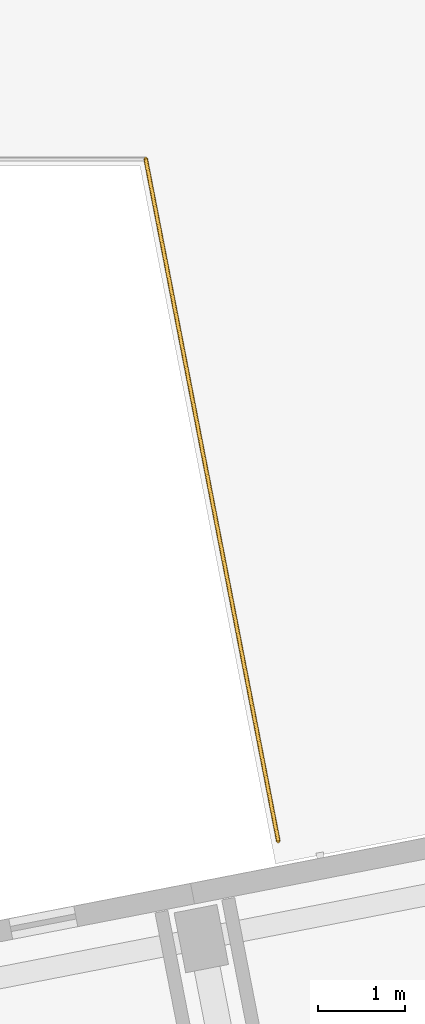
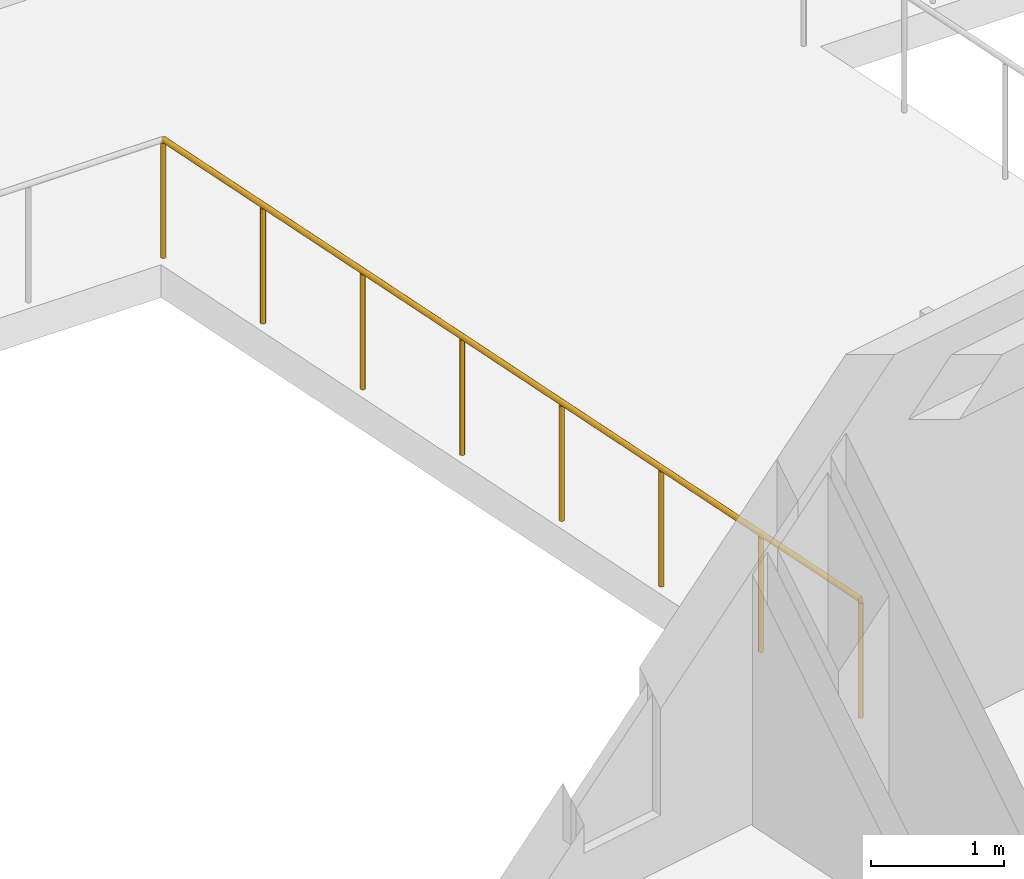
# One storey, part 121 of 150: 1 railing.
"""IFC4 building model written with IfcOpenShell, lengths in metres."""

import ifcopenshell
import ifcopenshell.guid

model = None  # the IFC model being written
_history = None  # IfcOwnerHistory: only IFC2X3 demands one
_inside = {}  # id of a spatial element -> (the spatial element, [elements in it])
_under = {}  # id of a project, library or spatial element -> (it, [spatial elements below it])
_declared = {}  # id of a project -> (the project, [libraries it declares])
_typed = {}  # id of a type object -> (the type object, [elements of that type])
_made_of = {}  # id of a material, layer set ... -> (it, [elements and type objects made of it])


def new_model(schema):
    """Start an empty IFC model of exactly this schema.

    Asked for "IFC4X3", IfcOpenShell would pick the latest addendum, in which some entities
    have other attributes; the version numbers below select the first issue.
    IFC2X3 requires an IfcOwnerHistory on every rooted entity: one is made here for all.
    """
    global model, _history
    if schema == "IFC4X3":
        model = ifcopenshell.file(schema_version=(4, 3, 0, 0))
    else:
        model = ifcopenshell.file(schema=schema)
    _inside.clear()
    _under.clear()
    _declared.clear()
    _typed.clear()
    _made_of.clear()
    _history = None
    if model.schema == "IFC2X3":
        org = make("IfcOrganization", Name="unknown")
        user = make(
            "IfcPersonAndOrganization",
            ThePerson=make("IfcPerson", FamilyName="unknown"),
            TheOrganization=org,
        )
        app = make(
            "IfcApplication",
            ApplicationDeveloper=org,
            Version="unknown",
            ApplicationFullName="unknown",
            ApplicationIdentifier="unknown",
        )
        _history = make(
            "IfcOwnerHistory",
            OwningUser=user,
            OwningApplication=app,
            ChangeAction="ADDED",
            CreationDate=0,
        )
    return model


def make(cls, **values):
    """One entity of the class cls with the attributes given. An attribute that is None is left unset."""
    return model.create_entity(
        cls, **{name: value for name, value in values.items() if value is not None}
    )


def rooted(cls, **values):
    """An entity with a GlobalId (a new one), such as an element, a storey or a relation."""
    return make(cls, GlobalId=ifcopenshell.guid.new(), OwnerHistory=_history, **values)


def si_unit(unit_type, name, prefix=None):
    """IfcSIUnit, for example si_unit("LENGTHUNIT", "METRE", prefix="MILLI")."""
    return make("IfcSIUnit", UnitType=unit_type, Prefix=prefix, Name=name)


def assignment(units):
    """IfcUnitAssignment: the units of a project."""
    return None if units is None else make("IfcUnitAssignment", Units=units)


def point(xyz):
    """IfcCartesianPoint."""
    return None if xyz is None else make("IfcCartesianPoint", Coordinates=xyz)


def direction(xyz):
    """IfcDirection."""
    return None if xyz is None else make("IfcDirection", DirectionRatios=xyz)


def frame(location, z_axis=None, x_axis=None):
    """IfcAxis2Placement3D, a coordinate frame: its origin and axes. An axis left out is left unset."""
    return make(
        "IfcAxis2Placement3D",
        Location=point(location),
        Axis=direction(z_axis),
        RefDirection=direction(x_axis),
    )


def frame_2d(location, x_axis=None):
    """IfcAxis2Placement2D, a coordinate frame in the plane: its origin and x axis."""
    return make(
        "IfcAxis2Placement2D", Location=point(location), RefDirection=direction(x_axis)
    )


def origin():
    """The frame at (0, 0, 0) with its axes left unset."""
    return frame((0.0, 0.0, 0.0))


def origin_2d():
    """The frame at (0, 0) in the plane with its x axis left unset."""
    return frame_2d((0.0, 0.0))


def place(relative_to, where):
    """IfcLocalPlacement: puts the frame where relative to a parent placement (None: the world)."""
    return make(
        "IfcLocalPlacement", PlacementRelTo=relative_to, RelativePlacement=where
    )


def context(
    kind, dimensions, precision=None, world=None, true_north=None, identifier=None
):
    """IfcGeometricRepresentationContext, for example the 3D "Model" context."""
    return make(
        "IfcGeometricRepresentationContext",
        ContextIdentifier=identifier,
        ContextType=kind,
        CoordinateSpaceDimension=dimensions,
        Precision=precision,
        WorldCoordinateSystem=world,
        TrueNorth=true_north,
    )


def subcontext(parent, identifier, kind, view, scale=None):
    """IfcGeometricRepresentationSubContext, for example "Body" below "Model"."""
    return make(
        "IfcGeometricRepresentationSubContext",
        ContextIdentifier=identifier,
        ContextType=kind,
        ParentContext=parent,
        TargetScale=scale,
        TargetView=view,
    )


def project(units=None, contexts=None):
    """IfcProject with its units and contexts."""
    return rooted(
        "IfcProject",
        Name="project",
        RepresentationContexts=contexts,
        UnitsInContext=assignment(units),
    )


def spatial(cls, under=None, at=None, **own):
    """A site, building, storey or space (cls), placed at a placement, below another one or the project."""
    s = rooted(cls, ObjectPlacement=at, **own)
    if under is not None:
        _under.setdefault(under.id(), (under, []))[1].append(s)
    return s


def profile(cls, at=None, kind="AREA", **sizes):
    """A parametric profile (cls). Its sizes go by their IFC names, for example OverallWidth=200.0."""
    return make(cls, ProfileType=kind, Position=at, **sizes)


def circle(**sizes):
    """IfcCircleProfileDef."""
    return profile("IfcCircleProfileDef", **sizes)


def extrude(swept, where, along, depth):
    """IfcExtrudedAreaSolid: the profile swept, set in the frame where, extruded along a direction by depth."""
    return make(
        "IfcExtrudedAreaSolid",
        SweptArea=swept,
        Position=where,
        ExtrudedDirection=direction(along),
        Depth=depth,
    )


def shape(context_of_items, identifier, shape_type, items):
    """IfcShapeRepresentation: the items that make up one representation, for example the "Body"."""
    return make(
        "IfcShapeRepresentation",
        ContextOfItems=context_of_items,
        RepresentationIdentifier=identifier,
        RepresentationType=shape_type,
        Items=items,
    )


def material(Name=None, Category=None):
    """IfcMaterial."""
    return make("IfcMaterial", Name=Name, Category=Category)


def made_of(thing, what):
    """Note that an element or type object is made of a material, layer set ...; save() writes the relation."""
    if what is not None:
        _made_of.setdefault(what.id(), (what, []))[1].append(thing)
    return thing


def type_object(cls, material=None, **own):
    """A type object (cls), such as IfcWallType, which elements share."""
    return made_of(rooted(cls, **own), material)


def element(
    cls,
    number,
    at=None,
    inside=None,
    cuts=None,
    type_object=None,
    material=None,
    context=None,
    identifier="Body",
    shape_type=None,
    held_by="IfcProductDefinitionShape",
    body=None,
    shapes=None,
    **own,
):
    """One element of the class cls, such as IfcWall. Its Tag is "e" and its number.

    at: its placement. inside: the storey or other place that contains it. cuts: it is an
    opening in that element (IfcRelVoidsElement). A single representation is given by context,
    identifier, shape_type and body (its items); several are given by shapes. held_by: the class
    of the entity that holds the representations. save() writes the other relations.
    """
    e = rooted(cls, Tag="e%d" % number, ObjectPlacement=at, **own)
    if body is not None:
        shapes = [shape(context, identifier, shape_type, body)]
    if shapes is not None:
        e.Representation = make(held_by, Representations=shapes)
    if inside is not None:
        _inside.setdefault(inside.id(), (inside, []))[1].append(e)
    if cuts is not None:
        rooted(
            "IfcRelVoidsElement", RelatingBuildingElement=cuts, RelatedOpeningElement=e
        )
    if type_object is not None:
        _typed.setdefault(type_object.id(), (type_object, []))[1].append(e)
    return made_of(e, material)


def aggregate(whole, parts):
    """IfcRelAggregates: a whole, such as a stair, and the parts it consists of."""
    return rooted("IfcRelAggregates", RelatingObject=whole, RelatedObjects=parts)


def save(model, path):
    """Write the relations noted so far, then the file.

    IfcRelAggregates (storeys below a building ...), IfcRelContainedInSpatialStructure (elements
    in a storey), IfcRelDefinesByType, IfcRelAssociatesMaterial and IfcRelDeclares: one each for
    every whole, place, type object, material and project.
    """
    for whole, parts in _under.values():
        aggregate(whole, parts)
    for where, things in _inside.values():
        rooted(
            "IfcRelContainedInSpatialStructure",
            RelatedElements=things,
            RelatingStructure=where,
        )
    for kind, things in _typed.values():
        rooted("IfcRelDefinesByType", RelatedObjects=things, RelatingType=kind)
    for what, things in _made_of.values():
        rooted("IfcRelAssociatesMaterial", RelatedObjects=things, RelatingMaterial=what)
    for by, libraries in _declared.values():
        rooted("IfcRelDeclares", RelatingContext=by, RelatedDefinitions=libraries)
    model.write(path)


model = new_model("IFC4")

# Units and contexts
model_context = context("Model", 3, precision=1e-05, world=origin(), true_north=direction((0.0, 1.0)))
body_context = subcontext(model_context, "Body", "Model", "MODEL_VIEW")
ifc_project = project(units=[si_unit("LENGTHUNIT", "METRE"), si_unit("AREAUNIT", "SQUARE_METRE"), si_unit("VOLUMEUNIT", "CUBIC_METRE"), si_unit("PLANEANGLEUNIT", "RADIAN"), si_unit("MASSUNIT", "GRAM", prefix="KILO")], contexts=[model_context])

# Site, building, storey
site_placement = place(None, origin())
site = spatial("IfcSite", under=ifc_project, at=site_placement, CompositionType="ELEMENT")
building_placement = place(site_placement, origin())
building = spatial("IfcBuilding", under=site, at=building_placement, Name="Kestramere Prow Commons", CompositionType="ELEMENT")
storey_placement = place(building_placement, frame((0.0, 0.0, 4.5)))
storey = spatial("IfcBuildingStorey", under=building, at=storey_placement, Name="L01", CompositionType="ELEMENT", Elevation=4.5)

# Railing
ifc_material = material(Name="Powder-Coated Aluminium 6063-T6", Category="aluminium")
railing_type = type_object("IfcRailingType", Name="GRD-BALC-1100", PredefinedType="BALUSTRADE", material=ifc_material)
railing_placement = place(storey_placement, frame((130.463623046875, 57.25927734375, 0.0)))
element("IfcRailing", 1, at=railing_placement, inside=storey, type_object=railing_type, Name="Raised Central Courtyard Perimeter Guardrail 8", PredefinedType="BALUSTRADE", context=body_context, shape_type="SweptSolid", body=[
    extrude(circle(Radius=0.02392578125, at=origin_2d()), frame((0.0, 0.0, 1.076171875), z_axis=(-0.190815526198, 0.981625913962, 0.0), x_axis=(-0.981625913962, -0.190815526198, 0.0)), (0.0, 0.0, 1.0), 7.96728515625),
    extrude(circle(Radius=0.02099609375, at=origin_2d()), origin(), (0.0, 0.0, 1.0), 1.052001953125),
    extrude(circle(Radius=0.02099609375, at=origin_2d()), frame((-0.21728515625, 1.1171875, 0.0)), (0.0, 0.0, 1.0), 1.052001953125),
    extrude(circle(Radius=0.02099609375, at=origin_2d()), frame((-0.434326171875, 2.234619140625, 0.0)), (0.0, 0.0, 1.0), 1.052001953125),
    extrude(circle(Radius=0.02099609375, at=origin_2d()), frame((-0.651611328125, 3.351806640625, 0.0)), (0.0, 0.0, 1.0), 1.052001953125),
    extrude(circle(Radius=0.02099609375, at=origin_2d()), frame((-0.86865234375, 4.468994140625, 0.0)), (0.0, 0.0, 1.0), 1.052001953125),
    extrude(circle(Radius=0.02099609375, at=origin_2d()), frame((-1.0859375, 5.586181640625, 0.0)), (0.0, 0.0, 1.0), 1.052001953125),
    extrude(circle(Radius=0.02099609375, at=origin_2d()), frame((-1.302978515625, 6.70361328125, 0.0)), (0.0, 0.0, 1.0), 1.052001953125),
    extrude(circle(Radius=0.02099609375, at=origin_2d()), frame((-1.520263671875, 7.82080078125, 0.0)), (0.0, 0.0, 1.0), 1.052001953125),
])

save(model, "model.ifc")
